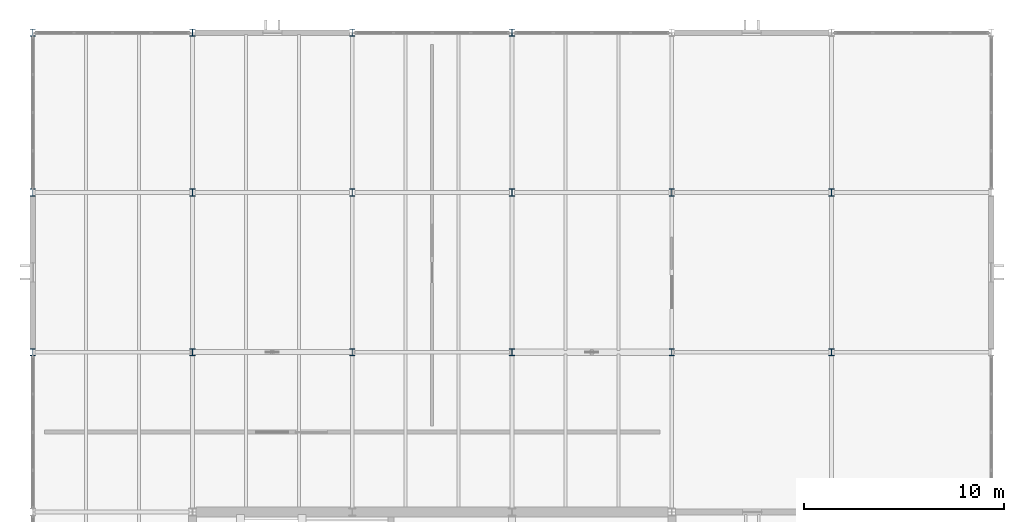
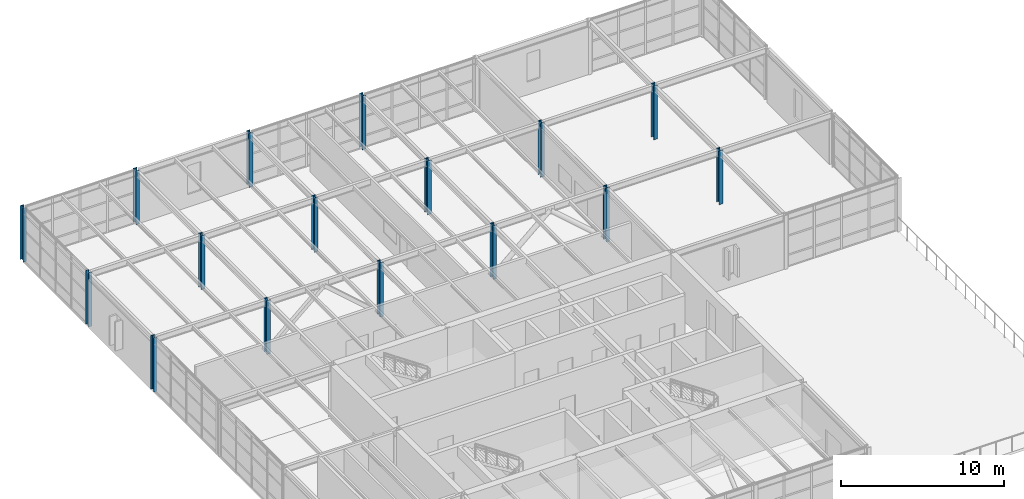
# One storey, part 3 of 21: 16 columns.
"""IFC4 building model written with IfcOpenShell, lengths in metres."""

import ifcopenshell
import ifcopenshell.guid

model = None  # the IFC model being written
_history = None  # IfcOwnerHistory: only IFC2X3 demands one
_inside = {}  # id of a spatial element -> (the spatial element, [elements in it])
_under = {}  # id of a project, library or spatial element -> (it, [spatial elements below it])
_declared = {}  # id of a project -> (the project, [libraries it declares])
_typed = {}  # id of a type object -> (the type object, [elements of that type])
_made_of = {}  # id of a material, layer set ... -> (it, [elements and type objects made of it])


def new_model(schema):
    """Start an empty IFC model of exactly this schema.

    Asked for "IFC4X3", IfcOpenShell would pick the latest addendum, in which some entities
    have other attributes; the version numbers below select the first issue.
    IFC2X3 requires an IfcOwnerHistory on every rooted entity: one is made here for all.
    """
    global model, _history
    if schema == "IFC4X3":
        model = ifcopenshell.file(schema_version=(4, 3, 0, 0))
    else:
        model = ifcopenshell.file(schema=schema)
    _inside.clear()
    _under.clear()
    _declared.clear()
    _typed.clear()
    _made_of.clear()
    _history = None
    if model.schema == "IFC2X3":
        org = make("IfcOrganization", Name="unknown")
        user = make(
            "IfcPersonAndOrganization",
            ThePerson=make("IfcPerson", FamilyName="unknown"),
            TheOrganization=org,
        )
        app = make(
            "IfcApplication",
            ApplicationDeveloper=org,
            Version="unknown",
            ApplicationFullName="unknown",
            ApplicationIdentifier="unknown",
        )
        _history = make(
            "IfcOwnerHistory",
            OwningUser=user,
            OwningApplication=app,
            ChangeAction="ADDED",
            CreationDate=0,
        )
    return model


def make(cls, **values):
    """One entity of the class cls with the attributes given. An attribute that is None is left unset."""
    return model.create_entity(
        cls, **{name: value for name, value in values.items() if value is not None}
    )


def rooted(cls, **values):
    """An entity with a GlobalId (a new one), such as an element, a storey or a relation."""
    return make(cls, GlobalId=ifcopenshell.guid.new(), OwnerHistory=_history, **values)


def si_unit(unit_type, name, prefix=None):
    """IfcSIUnit, for example si_unit("LENGTHUNIT", "METRE", prefix="MILLI")."""
    return make("IfcSIUnit", UnitType=unit_type, Prefix=prefix, Name=name)


def assignment(units):
    """IfcUnitAssignment: the units of a project."""
    return None if units is None else make("IfcUnitAssignment", Units=units)


def point(xyz):
    """IfcCartesianPoint."""
    return None if xyz is None else make("IfcCartesianPoint", Coordinates=xyz)


def direction(xyz):
    """IfcDirection."""
    return None if xyz is None else make("IfcDirection", DirectionRatios=xyz)


def frame(location, z_axis=None, x_axis=None):
    """IfcAxis2Placement3D, a coordinate frame: its origin and axes. An axis left out is left unset."""
    return make(
        "IfcAxis2Placement3D",
        Location=point(location),
        Axis=direction(z_axis),
        RefDirection=direction(x_axis),
    )


def frame_2d(location, x_axis=None):
    """IfcAxis2Placement2D, a coordinate frame in the plane: its origin and x axis."""
    return make(
        "IfcAxis2Placement2D", Location=point(location), RefDirection=direction(x_axis)
    )


def origin():
    """The frame at (0, 0, 0) with its axes left unset."""
    return frame((0.0, 0.0, 0.0))


def origin_2d():
    """The frame at (0, 0) in the plane with its x axis left unset."""
    return frame_2d((0.0, 0.0))


def place(relative_to, where):
    """IfcLocalPlacement: puts the frame where relative to a parent placement (None: the world)."""
    return make(
        "IfcLocalPlacement", PlacementRelTo=relative_to, RelativePlacement=where
    )


def context(
    kind, dimensions, precision=None, world=None, true_north=None, identifier=None
):
    """IfcGeometricRepresentationContext, for example the 3D "Model" context."""
    return make(
        "IfcGeometricRepresentationContext",
        ContextIdentifier=identifier,
        ContextType=kind,
        CoordinateSpaceDimension=dimensions,
        Precision=precision,
        WorldCoordinateSystem=world,
        TrueNorth=true_north,
    )


def subcontext(parent, identifier, kind, view, scale=None):
    """IfcGeometricRepresentationSubContext, for example "Body" below "Model"."""
    return make(
        "IfcGeometricRepresentationSubContext",
        ContextIdentifier=identifier,
        ContextType=kind,
        ParentContext=parent,
        TargetScale=scale,
        TargetView=view,
    )


def project(units=None, contexts=None):
    """IfcProject with its units and contexts."""
    return rooted(
        "IfcProject",
        Name="project",
        RepresentationContexts=contexts,
        UnitsInContext=assignment(units),
    )


def spatial(cls, under=None, at=None, **own):
    """A site, building, storey or space (cls), placed at a placement, below another one or the project."""
    s = rooted(cls, ObjectPlacement=at, **own)
    if under is not None:
        _under.setdefault(under.id(), (under, []))[1].append(s)
    return s


def profile(cls, at=None, kind="AREA", **sizes):
    """A parametric profile (cls). Its sizes go by their IFC names, for example OverallWidth=200.0."""
    return make(cls, ProfileType=kind, Position=at, **sizes)


def i_section(**sizes):
    """IfcIShapeProfileDef."""
    return profile("IfcIShapeProfileDef", **sizes)


def extrude(swept, where, along, depth):
    """IfcExtrudedAreaSolid: the profile swept, set in the frame where, extruded along a direction by depth."""
    return make(
        "IfcExtrudedAreaSolid",
        SweptArea=swept,
        Position=where,
        ExtrudedDirection=direction(along),
        Depth=depth,
    )


def shape(context_of_items, identifier, shape_type, items):
    """IfcShapeRepresentation: the items that make up one representation, for example the "Body"."""
    return make(
        "IfcShapeRepresentation",
        ContextOfItems=context_of_items,
        RepresentationIdentifier=identifier,
        RepresentationType=shape_type,
        Items=items,
    )


def material(Name=None, Category=None):
    """IfcMaterial."""
    return make("IfcMaterial", Name=Name, Category=Category)


def material_profile(
    of_material, cross_section, Name=None, Category=None, Priority=None
):
    """IfcMaterialProfile: a cross section and its material."""
    return make(
        "IfcMaterialProfile",
        Name=Name,
        Material=of_material,
        Profile=cross_section,
        Priority=Priority,
        Category=Category,
    )


def profile_set(profiles, Name=None, composite=None):
    """IfcMaterialProfileSet."""
    return make(
        "IfcMaterialProfileSet",
        Name=Name,
        MaterialProfiles=profiles,
        CompositeProfile=composite,
    )


def made_of(thing, what):
    """Note that an element or type object is made of a material, layer set ...; save() writes the relation."""
    if what is not None:
        _made_of.setdefault(what.id(), (what, []))[1].append(thing)
    return thing


def type_object(cls, material=None, **own):
    """A type object (cls), such as IfcWallType, which elements share."""
    return made_of(rooted(cls, **own), material)


def element(
    cls,
    number,
    at=None,
    inside=None,
    cuts=None,
    type_object=None,
    material=None,
    context=None,
    identifier="Body",
    shape_type=None,
    held_by="IfcProductDefinitionShape",
    body=None,
    shapes=None,
    **own,
):
    """One element of the class cls, such as IfcWall. Its Tag is "e" and its number.

    at: its placement. inside: the storey or other place that contains it. cuts: it is an
    opening in that element (IfcRelVoidsElement). A single representation is given by context,
    identifier, shape_type and body (its items); several are given by shapes. held_by: the class
    of the entity that holds the representations. save() writes the other relations.
    """
    e = rooted(cls, Tag="e%d" % number, ObjectPlacement=at, **own)
    if body is not None:
        shapes = [shape(context, identifier, shape_type, body)]
    if shapes is not None:
        e.Representation = make(held_by, Representations=shapes)
    if inside is not None:
        _inside.setdefault(inside.id(), (inside, []))[1].append(e)
    if cuts is not None:
        rooted(
            "IfcRelVoidsElement", RelatingBuildingElement=cuts, RelatedOpeningElement=e
        )
    if type_object is not None:
        _typed.setdefault(type_object.id(), (type_object, []))[1].append(e)
    return made_of(e, material)


def aggregate(whole, parts):
    """IfcRelAggregates: a whole, such as a stair, and the parts it consists of."""
    return rooted("IfcRelAggregates", RelatingObject=whole, RelatedObjects=parts)


def save(model, path):
    """Write the relations noted so far, then the file.

    IfcRelAggregates (storeys below a building ...), IfcRelContainedInSpatialStructure (elements
    in a storey), IfcRelDefinesByType, IfcRelAssociatesMaterial and IfcRelDeclares: one each for
    every whole, place, type object, material and project.
    """
    for whole, parts in _under.values():
        aggregate(whole, parts)
    for where, things in _inside.values():
        rooted(
            "IfcRelContainedInSpatialStructure",
            RelatedElements=things,
            RelatingStructure=where,
        )
    for kind, things in _typed.values():
        rooted("IfcRelDefinesByType", RelatedObjects=things, RelatingType=kind)
    for what, things in _made_of.values():
        rooted("IfcRelAssociatesMaterial", RelatedObjects=things, RelatingMaterial=what)
    for by, libraries in _declared.values():
        rooted("IfcRelDeclares", RelatingContext=by, RelatedDefinitions=libraries)
    model.write(path)


model = new_model("IFC4")

# Units and contexts
model_context = context("Model", 3, precision=1e-05, world=origin(), true_north=direction((0.0, 1.0)))
body_context = subcontext(model_context, "Body", "Model", "MODEL_VIEW")
ifc_project = project(units=[si_unit("LENGTHUNIT", "METRE"), si_unit("AREAUNIT", "SQUARE_METRE"), si_unit("VOLUMEUNIT", "CUBIC_METRE"), si_unit("PLANEANGLEUNIT", "RADIAN"), si_unit("MASSUNIT", "GRAM", prefix="KILO")], contexts=[model_context])

# Site, building, storey
site_placement = place(None, origin())
site = spatial("IfcSite", under=ifc_project, at=site_placement, CompositionType="ELEMENT")
building_placement = place(site_placement, origin())
building = spatial("IfcBuilding", under=site, at=building_placement, Name="Varnela Railside Interchange", CompositionType="ELEMENT")
storey_placement = place(building_placement, frame((0.0, 0.0, 23.800048828125)))
storey = spatial("IfcBuildingStorey", under=building, at=storey_placement, Name="L05", CompositionType="ELEMENT", Elevation=23.800048828125)

# Columns
ifc_material = material(Name="Steel AR 350 (350 MPa)", Category="steel")
ifc_material_profile = material_profile(ifc_material, i_section(OverallWidth=0.257080078125, OverallDepth=0.363037109375, WebThickness=0.012939453125, FlangeThickness=0.021728515625, at=origin_2d()), Name="W360x122")
ifc_profile_set = profile_set([ifc_material_profile], Name="Steel AR 350 (350 MPa)")
column_type = type_object("IfcColumnType", Name="Superstructure Steel Col C-20", PredefinedType="COLUMN", material=ifc_profile_set)
for number, where, z_axis, x_axis, name in (
    (1, (4.0, 78.0, 0.0), (0.0, 0.0, 1.0), (1.0, 0.0, 0.0), "Column C-20 (L05) (CL-0978)"),
    (2, (4.0, 86.0, 0.0), (0.0, 0.0, 1.0), (1.0, 0.0, 0.0), "Column C-20 (L05) (CL-0979)"),
    (3, (4.0, 94.0, 0.0), (0.0, 0.0, 1.0), (1.0, 0.0, 0.0), "Column C-20 (L05) (CL-0980)"),
    (4, (12.0, 78.0, 0.0), (0.0, 0.0, 1.0), (1.0, 0.0, 0.0), "Column C-20 (L05) (CL-0985)"),
    (5, (12.0, 86.0, 0.0), (0.0, 0.0, 1.0), (1.0, 0.0, 0.0), "Column C-20 (L05) (CL-0986)"),
    (6, (12.0, 94.0, 0.0), (0.0, 0.0, 1.0), (1.0, 0.0, 0.0), "Column C-20 (L05) (CL-0987)"),
    (7, (20.0, 78.0, 0.0), (0.0, 0.0, 1.0), (1.0, 0.0, 0.0), "Column C-20 (L05) (CL-0991)"),
    (8, (20.0, 86.0, 0.0), (0.0, 0.0, 1.0), (1.0, 0.0, 0.0), "Column C-20 (L05) (CL-0992)"),
    (9, (20.0, 94.0, 0.0), (0.0, 0.0, 1.0), (1.0, 0.0, 0.0), "Column C-20 (L05) (CL-0993)"),
    (10, (28.0, 78.0, 0.0), (0.0, 0.0, 1.0), (1.0, 0.0, 0.0), "Column C-20 (L05) (CL-0997)"),
    (11, (28.0, 86.0, 0.0), (0.0, 0.0, 1.0), (1.0, 0.0, 0.0), "Column C-20 (L05) (CL-0998)"),
    (12, (28.0, 94.0, 0.0), (0.0, 0.0, 1.0), (1.0, 0.0, 0.0), "Column C-20 (L05) (CL-0999)"),
    (13, (36.0, 78.0, 0.0), (0.0, 0.0, 1.0), (1.0, 0.0, 0.0), "Column C-20 (L05) (CL-1004)"),
    (14, (36.0, 86.0, 0.0), (0.0, 0.0, 1.0), (1.0, 0.0, 0.0), "Column C-20 (L05) (CL-1005)"),
    (15, (44.0, 78.0, 0.0), (0.0, 0.0, 1.0), (1.0, 0.0, 0.0), "Column C-20 (L05) (CL-1008)"),
    (16, (44.0, 86.0, 0.0), (0.0, 0.0, 1.0), (1.0, 0.0, 0.0), "Column C-20 (L05) (CL-1009)"),
):
    element("IfcColumn", number, at=place(storey_placement, frame(where, z_axis=z_axis, x_axis=x_axis)), inside=storey, type_object=column_type, Name=name, PredefinedType="COLUMN", context=body_context, shape_type="SweptSolid", body=[
        extrude(i_section(OverallWidth=0.257080078125, OverallDepth=0.363037109375, WebThickness=0.012939453125, FlangeThickness=0.021728515625, at=origin_2d()), origin(), (0.0, 0.0, 1.0), 4.02001953125),
    ])

save(model, "model.ifc")
